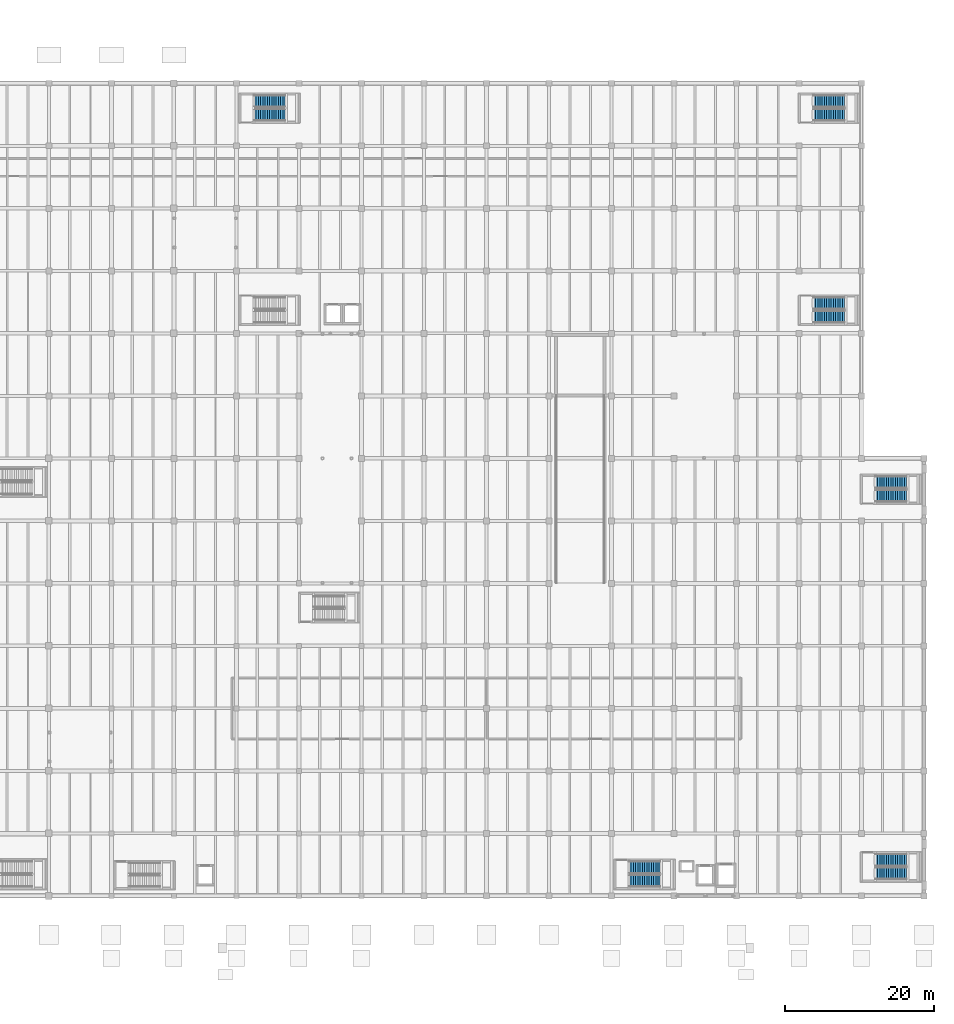
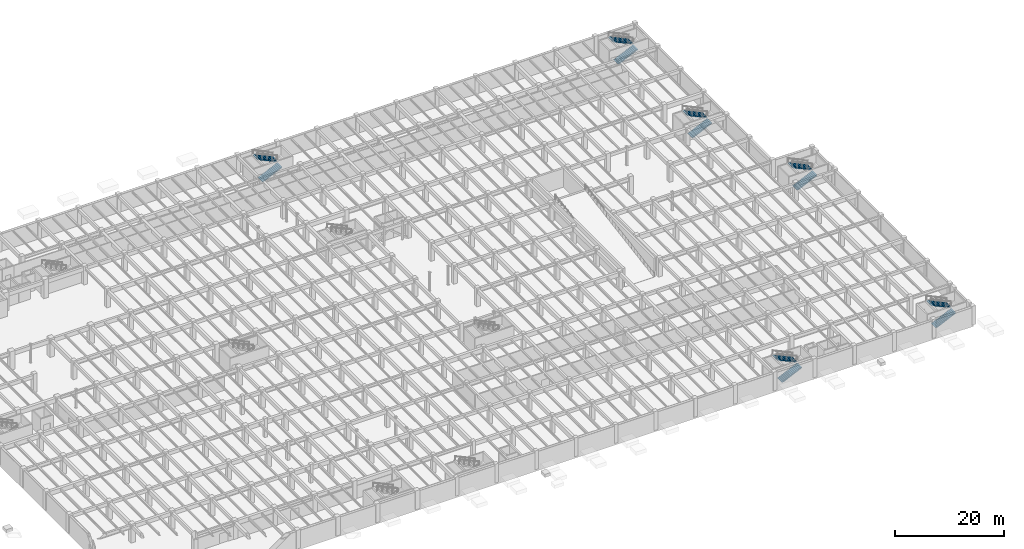
# One storey, part 50 of 63: 12 stair flights, 6 elements without a shape of their own.
"""IFC4 building model written with IfcOpenShell, lengths in metres."""

from ifc_helpers import new_model, si_unit, direction, frame, origin, place, context, subcontext, project, spatial, polyline, outline, extrude, material, type_object, element, aggregate, save


model = new_model("IFC4")

# Units and contexts
model_context = context("Model", 3, precision=1e-05, world=origin(), true_north=direction((0.0, 1.0)))
body_context = subcontext(model_context, "Body", "Model", "MODEL_VIEW")
ifc_project = project(units=[si_unit("LENGTHUNIT", "METRE"), si_unit("AREAUNIT", "SQUARE_METRE"), si_unit("VOLUMEUNIT", "CUBIC_METRE"), si_unit("PLANEANGLEUNIT", "RADIAN"), si_unit("MASSUNIT", "GRAM", prefix="KILO")], contexts=[model_context])

# Site, building, storey
site_placement = place(None, origin())
site = spatial("IfcSite", under=ifc_project, at=site_placement, CompositionType="ELEMENT")
building_placement = place(site_placement, origin())
building = spatial("IfcBuilding", under=site, at=building_placement, Name="Cumbredor Promenade Congress Hotel", CompositionType="ELEMENT")
storey_placement = place(building_placement, frame((0.0, 0.0, -4.199951171875)))
storey = spatial("IfcBuildingStorey", under=building, at=storey_placement, Name="B01", CompositionType="ELEMENT", Elevation=-4.199951171875)

# Stair, stair flights
ifc_material = material(Name="Concrete C40/50", Category="concrete")
stair_type = type_object("IfcStairType", Name="Protected Dog-Leg Exit Stair ST-T3 1650mm", PredefinedType="HALF_TURN_STAIR", material=ifc_material)
stair_1_placement = place(storey_placement, origin())
stair_1 = element("IfcStair", 1, at=stair_1_placement, inside=storey, type_object=stair_type, Name="B01 Protected Exit Stair ST-08", PredefinedType="HALF_TURN_STAIR")
stair_flight_type = type_object("IfcStairFlightType", Name="Concrete Stair Flight SFL-T3 1650mm", PredefinedType="STRAIGHT", material=ifc_material)
stair_flight_1_placement = place(storey_placement, frame((145.14990234375, 10.425048828125, 0.0), z_axis=(0.0, 0.0, 1.0), x_axis=(1.0, 0.0, 0.0)))
stair_flight_1 = element("IfcStairFlight", 2, at=stair_flight_1_placement, type_object=stair_flight_type, Name="ST-08 flight 1", NumberOfRisers=15, NumberOfTreads=14, PredefinedType="STRAIGHT", RiserHeight=0.14, TreadLength=0.3, context=body_context, shape_type="SweptSolid", body=[
    extrude(outline(polyline([(0.0, 0.0), (0.0, 0.139892578125), (0.300048828125, 0.139892578125), (0.300048828125, 0.280029296875), (0.60009765625, 0.280029296875), (0.60009765625, 0.419921875), (0.89990234375, 0.419921875), (0.89990234375, 0.56005859375), (1.199951171875, 0.56005859375), (1.199951171875, 0.699951171875), (1.5, 0.699951171875), (1.5, 0.840087890625), (1.800048828125, 0.840087890625), (1.800048828125, 0.97998046875), (2.10009765625, 0.97998046875), (2.10009765625, 1.1201171875), (2.39990234375, 1.1201171875), (2.39990234375, 1.260009765625), (2.699951171875, 1.260009765625), (2.699951171875, 1.39990234375), (3.0, 1.39990234375), (3.0, 1.5400390625), (3.300048828125, 1.5400390625), (3.300048828125, 1.679931640625), (3.60009765625, 1.679931640625), (3.60009765625, 1.820068359375), (3.89990234375, 1.820068359375), (3.89990234375, 1.9599609375), (4.199951171875, 1.9599609375), (4.199951171875, 2.10009765625), (4.199951171875, 1.761474609375), (0.425537109375, 0.0), (0.0, 0.0)])), frame((0.0, 0.824951171875, 0.0), z_axis=(0.0, -1.0, 0.0), x_axis=(1.0, 0.0, 0.0)), (0.0, 0.0, 1.0), 1.64990234375),
])
stair_flight_2_placement = place(storey_placement, frame((149.35009765625, 12.22509765625, 2.099853515625), z_axis=(0.0, 0.0, 1.0), x_axis=(-1.0, 0.0, 0.0)))
stair_flight_2 = element("IfcStairFlight", 3, at=stair_flight_2_placement, type_object=stair_flight_type, Name="ST-08 flight 2", NumberOfRisers=15, NumberOfTreads=14, PredefinedType="STRAIGHT", RiserHeight=0.14, TreadLength=0.3, context=body_context, shape_type="SweptSolid", body=[
    extrude(outline(polyline([(0.0, 0.0), (0.0, 0.139892578125), (0.300048828125, 0.139892578125), (0.300048828125, 0.280029296875), (0.60009765625, 0.280029296875), (0.60009765625, 0.419921875), (0.89990234375, 0.419921875), (0.89990234375, 0.56005859375), (1.199951171875, 0.56005859375), (1.199951171875, 0.699951171875), (1.5, 0.699951171875), (1.5, 0.840087890625), (1.800048828125, 0.840087890625), (1.800048828125, 0.97998046875), (2.10009765625, 0.97998046875), (2.10009765625, 1.1201171875), (2.39990234375, 1.1201171875), (2.39990234375, 1.260009765625), (2.699951171875, 1.260009765625), (2.699951171875, 1.39990234375), (3.0, 1.39990234375), (3.0, 1.5400390625), (3.300048828125, 1.5400390625), (3.300048828125, 1.679931640625), (3.60009765625, 1.679931640625), (3.60009765625, 1.820068359375), (3.89990234375, 1.820068359375), (3.89990234375, 1.9599609375), (4.199951171875, 1.9599609375), (4.199951171875, 2.10009765625), (4.199951171875, 1.761474609375), (0.425537109375, 0.0), (0.0, 0.0)])), frame((0.0, 0.824951171875, 0.0), z_axis=(0.0, -1.0, 0.0), x_axis=(1.0, 0.0, 0.0)), (0.0, 0.0, 1.0), 1.64990234375),
])
aggregate(stair_1, [stair_flight_1, stair_flight_2])

stair_2_placement = place(storey_placement, origin())
stair_2 = element("IfcStair", 4, at=stair_2_placement, inside=storey, type_object=stair_type, Name="B01 Protected Exit Stair ST-09", PredefinedType="HALF_TURN_STAIR")
stair_flight_3_placement = place(storey_placement, frame((178.25, 11.425048828125, 0.0), z_axis=(0.0, 0.0, 1.0), x_axis=(1.0, 0.0, 0.0)))
stair_flight_3 = element("IfcStairFlight", 5, at=stair_flight_3_placement, type_object=stair_flight_type, Name="ST-09 flight 1", NumberOfRisers=15, NumberOfTreads=14, PredefinedType="STRAIGHT", RiserHeight=0.14, TreadLength=0.3, context=body_context, shape_type="SweptSolid", body=[
    extrude(outline(polyline([(0.0, 0.0), (0.0, 0.139892578125), (0.300048828125, 0.139892578125), (0.300048828125, 0.280029296875), (0.60009765625, 0.280029296875), (0.60009765625, 0.419921875), (0.89990234375, 0.419921875), (0.89990234375, 0.56005859375), (1.199951171875, 0.56005859375), (1.199951171875, 0.699951171875), (1.5, 0.699951171875), (1.5, 0.840087890625), (1.800048828125, 0.840087890625), (1.800048828125, 0.97998046875), (2.10009765625, 0.97998046875), (2.10009765625, 1.1201171875), (2.39990234375, 1.1201171875), (2.39990234375, 1.260009765625), (2.699951171875, 1.260009765625), (2.699951171875, 1.39990234375), (3.0, 1.39990234375), (3.0, 1.5400390625), (3.300048828125, 1.5400390625), (3.300048828125, 1.679931640625), (3.60009765625, 1.679931640625), (3.60009765625, 1.820068359375), (3.89990234375, 1.820068359375), (3.89990234375, 1.9599609375), (4.199951171875, 1.9599609375), (4.199951171875, 2.10009765625), (4.199951171875, 1.761474609375), (0.425537109375, 0.0), (0.0, 0.0)])), frame((0.0, 0.824951171875, 0.0), z_axis=(0.0, -1.0, 0.0), x_axis=(1.0, 0.0, 0.0)), (0.0, 0.0, 1.0), 1.64990234375),
])
stair_flight_4_placement = place(storey_placement, frame((182.449951171875, 13.22509765625, 2.099853515625), z_axis=(0.0, 0.0, 1.0), x_axis=(-1.0, 0.0, 0.0)))
stair_flight_4 = element("IfcStairFlight", 6, at=stair_flight_4_placement, type_object=stair_flight_type, Name="ST-09 flight 2", NumberOfRisers=15, NumberOfTreads=14, PredefinedType="STRAIGHT", RiserHeight=0.14, TreadLength=0.3, context=body_context, shape_type="SweptSolid", body=[
    extrude(outline(polyline([(0.0, 0.0), (0.0, 0.139892578125), (0.300048828125, 0.139892578125), (0.300048828125, 0.280029296875), (0.60009765625, 0.280029296875), (0.60009765625, 0.419921875), (0.89990234375, 0.419921875), (0.89990234375, 0.56005859375), (1.199951171875, 0.56005859375), (1.199951171875, 0.699951171875), (1.5, 0.699951171875), (1.5, 0.840087890625), (1.800048828125, 0.840087890625), (1.800048828125, 0.97998046875), (2.10009765625, 0.97998046875), (2.10009765625, 1.1201171875), (2.39990234375, 1.1201171875), (2.39990234375, 1.260009765625), (2.699951171875, 1.260009765625), (2.699951171875, 1.39990234375), (3.0, 1.39990234375), (3.0, 1.5400390625), (3.300048828125, 1.5400390625), (3.300048828125, 1.679931640625), (3.60009765625, 1.679931640625), (3.60009765625, 1.820068359375), (3.89990234375, 1.820068359375), (3.89990234375, 1.9599609375), (4.199951171875, 1.9599609375), (4.199951171875, 2.10009765625), (4.199951171875, 1.761474609375), (0.425537109375, 0.0), (0.0, 0.0)])), frame((0.0, 0.824951171875, 0.0), z_axis=(0.0, -1.0, 0.0), x_axis=(1.0, 0.0, 0.0)), (0.0, 0.0, 1.0), 1.64990234375),
])
aggregate(stair_2, [stair_flight_3, stair_flight_4])

stair_3_placement = place(storey_placement, origin())
stair_3 = element("IfcStair", 7, at=stair_3_placement, inside=storey, type_object=stair_type, Name="B01 Protected Exit Stair ST-10", PredefinedType="HALF_TURN_STAIR")
stair_flight_5_placement = place(storey_placement, frame((178.25, 62.175048828125, 0.0), z_axis=(0.0, 0.0, 1.0), x_axis=(1.0, 0.0, 0.0)))
stair_flight_5 = element("IfcStairFlight", 8, at=stair_flight_5_placement, type_object=stair_flight_type, Name="ST-10 flight 1", NumberOfRisers=15, NumberOfTreads=14, PredefinedType="STRAIGHT", RiserHeight=0.14, TreadLength=0.3, context=body_context, shape_type="SweptSolid", body=[
    extrude(outline(polyline([(0.0, 0.0), (0.0, 0.139892578125), (0.300048828125, 0.139892578125), (0.300048828125, 0.280029296875), (0.60009765625, 0.280029296875), (0.60009765625, 0.419921875), (0.89990234375, 0.419921875), (0.89990234375, 0.56005859375), (1.199951171875, 0.56005859375), (1.199951171875, 0.699951171875), (1.5, 0.699951171875), (1.5, 0.840087890625), (1.800048828125, 0.840087890625), (1.800048828125, 0.97998046875), (2.10009765625, 0.97998046875), (2.10009765625, 1.1201171875), (2.39990234375, 1.1201171875), (2.39990234375, 1.260009765625), (2.699951171875, 1.260009765625), (2.699951171875, 1.39990234375), (3.0, 1.39990234375), (3.0, 1.5400390625), (3.300048828125, 1.5400390625), (3.300048828125, 1.679931640625), (3.60009765625, 1.679931640625), (3.60009765625, 1.820068359375), (3.89990234375, 1.820068359375), (3.89990234375, 1.9599609375), (4.199951171875, 1.9599609375), (4.199951171875, 2.10009765625), (4.199951171875, 1.761474609375), (0.425537109375, 0.0), (0.0, 0.0)])), frame((0.0, 0.824951171875, 0.0), z_axis=(0.0, -1.0, 0.0), x_axis=(1.0, 0.0, 0.0)), (0.0, 0.0, 1.0), 1.64990234375),
])
stair_flight_6_placement = place(storey_placement, frame((182.449951171875, 63.97509765625, 2.099853515625), z_axis=(0.0, 0.0, 1.0), x_axis=(-1.0, 0.0, 0.0)))
stair_flight_6 = element("IfcStairFlight", 9, at=stair_flight_6_placement, type_object=stair_flight_type, Name="ST-10 flight 2", NumberOfRisers=15, NumberOfTreads=14, PredefinedType="STRAIGHT", RiserHeight=0.14, TreadLength=0.3, context=body_context, shape_type="SweptSolid", body=[
    extrude(outline(polyline([(0.0, 0.0), (0.0, 0.139892578125), (0.300048828125, 0.139892578125), (0.300048828125, 0.280029296875), (0.60009765625, 0.280029296875), (0.60009765625, 0.419921875), (0.89990234375, 0.419921875), (0.89990234375, 0.56005859375), (1.199951171875, 0.56005859375), (1.199951171875, 0.699951171875), (1.5, 0.699951171875), (1.5, 0.840087890625), (1.800048828125, 0.840087890625), (1.800048828125, 0.97998046875), (2.10009765625, 0.97998046875), (2.10009765625, 1.1201171875), (2.39990234375, 1.1201171875), (2.39990234375, 1.260009765625), (2.699951171875, 1.260009765625), (2.699951171875, 1.39990234375), (3.0, 1.39990234375), (3.0, 1.5400390625), (3.300048828125, 1.5400390625), (3.300048828125, 1.679931640625), (3.60009765625, 1.679931640625), (3.60009765625, 1.820068359375), (3.89990234375, 1.820068359375), (3.89990234375, 1.9599609375), (4.199951171875, 1.9599609375), (4.199951171875, 2.10009765625), (4.199951171875, 1.761474609375), (0.425537109375, 0.0), (0.0, 0.0)])), frame((0.0, 0.824951171875, 0.0), z_axis=(0.0, -1.0, 0.0), x_axis=(1.0, 0.0, 0.0)), (0.0, 0.0, 1.0), 1.64990234375),
])
aggregate(stair_3, [stair_flight_5, stair_flight_6])

stair_4_placement = place(storey_placement, origin())
stair_4 = element("IfcStair", 10, at=stair_4_placement, inside=storey, type_object=stair_type, Name="B01 Protected Exit Stair ST-14", PredefinedType="HALF_TURN_STAIR")
stair_flight_7_placement = place(storey_placement, frame((169.919921875, 86.22509765625, 0.0), z_axis=(0.0, 0.0, 1.0), x_axis=(1.0, 0.0, 0.0)))
stair_flight_7 = element("IfcStairFlight", 11, at=stair_flight_7_placement, type_object=stair_flight_type, Name="ST-14 flight 1", NumberOfRisers=15, NumberOfTreads=14, PredefinedType="STRAIGHT", RiserHeight=0.14, TreadLength=0.3, context=body_context, shape_type="SweptSolid", body=[
    extrude(outline(polyline([(0.0, 0.0), (0.0, 0.139892578125), (0.300048828125, 0.139892578125), (0.300048828125, 0.280029296875), (0.60009765625, 0.280029296875), (0.60009765625, 0.419921875), (0.89990234375, 0.419921875), (0.89990234375, 0.56005859375), (1.199951171875, 0.56005859375), (1.199951171875, 0.699951171875), (1.5, 0.699951171875), (1.5, 0.840087890625), (1.800048828125, 0.840087890625), (1.800048828125, 0.97998046875), (2.10009765625, 0.97998046875), (2.10009765625, 1.1201171875), (2.39990234375, 1.1201171875), (2.39990234375, 1.260009765625), (2.699951171875, 1.260009765625), (2.699951171875, 1.39990234375), (3.0, 1.39990234375), (3.0, 1.5400390625), (3.300048828125, 1.5400390625), (3.300048828125, 1.679931640625), (3.60009765625, 1.679931640625), (3.60009765625, 1.820068359375), (3.89990234375, 1.820068359375), (3.89990234375, 1.9599609375), (4.199951171875, 1.9599609375), (4.199951171875, 2.10009765625), (4.199951171875, 1.761474609375), (0.425537109375, 0.0), (0.0, 0.0)])), frame((0.0, 0.824951171875, 0.0), z_axis=(0.0, -1.0, 0.0), x_axis=(1.0, 0.0, 0.0)), (0.0, 0.0, 1.0), 1.64990234375),
])
stair_flight_8_placement = place(storey_placement, frame((174.1201171875, 88.02490234375, 2.099853515625), z_axis=(0.0, 0.0, 1.0), x_axis=(-1.0, 0.0, 0.0)))
stair_flight_8 = element("IfcStairFlight", 12, at=stair_flight_8_placement, type_object=stair_flight_type, Name="ST-14 flight 2", NumberOfRisers=15, NumberOfTreads=14, PredefinedType="STRAIGHT", RiserHeight=0.14, TreadLength=0.3, context=body_context, shape_type="SweptSolid", body=[
    extrude(outline(polyline([(0.0, 0.0), (0.0, 0.139892578125), (0.300048828125, 0.139892578125), (0.300048828125, 0.280029296875), (0.60009765625, 0.280029296875), (0.60009765625, 0.419921875), (0.89990234375, 0.419921875), (0.89990234375, 0.56005859375), (1.199951171875, 0.56005859375), (1.199951171875, 0.699951171875), (1.5, 0.699951171875), (1.5, 0.840087890625), (1.800048828125, 0.840087890625), (1.800048828125, 0.97998046875), (2.10009765625, 0.97998046875), (2.10009765625, 1.1201171875), (2.39990234375, 1.1201171875), (2.39990234375, 1.260009765625), (2.699951171875, 1.260009765625), (2.699951171875, 1.39990234375), (3.0, 1.39990234375), (3.0, 1.5400390625), (3.300048828125, 1.5400390625), (3.300048828125, 1.679931640625), (3.60009765625, 1.679931640625), (3.60009765625, 1.820068359375), (3.89990234375, 1.820068359375), (3.89990234375, 1.9599609375), (4.199951171875, 1.9599609375), (4.199951171875, 2.10009765625), (4.199951171875, 1.761474609375), (0.425537109375, 0.0), (0.0, 0.0)])), frame((0.0, 0.824951171875, 0.0), z_axis=(0.0, -1.0, 0.0), x_axis=(1.0, 0.0, 0.0)), (0.0, 0.0, 1.0), 1.64990234375),
])
aggregate(stair_4, [stair_flight_7, stair_flight_8])

stair_5_placement = place(storey_placement, origin())
stair_5 = element("IfcStair", 13, at=stair_5_placement, inside=storey, type_object=stair_type, Name="B01 Protected Exit Stair ST-15", PredefinedType="HALF_TURN_STAIR")
stair_flight_9_placement = place(storey_placement, frame((94.75, 113.375, 0.0), z_axis=(0.0, 0.0, 1.0), x_axis=(1.0, 0.0, 0.0)))
stair_flight_9 = element("IfcStairFlight", 14, at=stair_flight_9_placement, type_object=stair_flight_type, Name="ST-15 flight 1", NumberOfRisers=15, NumberOfTreads=14, PredefinedType="STRAIGHT", RiserHeight=0.14, TreadLength=0.3, context=body_context, shape_type="SweptSolid", body=[
    extrude(outline(polyline([(0.0, 0.0), (0.0, 0.139892578125), (0.300048828125, 0.139892578125), (0.300048828125, 0.280029296875), (0.60009765625, 0.280029296875), (0.60009765625, 0.419921875), (0.89990234375, 0.419921875), (0.89990234375, 0.56005859375), (1.199951171875, 0.56005859375), (1.199951171875, 0.699951171875), (1.5, 0.699951171875), (1.5, 0.840087890625), (1.800048828125, 0.840087890625), (1.800048828125, 0.97998046875), (2.10009765625, 0.97998046875), (2.10009765625, 1.1201171875), (2.39990234375, 1.1201171875), (2.39990234375, 1.260009765625), (2.699951171875, 1.260009765625), (2.699951171875, 1.39990234375), (3.0, 1.39990234375), (3.0, 1.5400390625), (3.300048828125, 1.5400390625), (3.300048828125, 1.679931640625), (3.60009765625, 1.679931640625), (3.60009765625, 1.820068359375), (3.89990234375, 1.820068359375), (3.89990234375, 1.9599609375), (4.199951171875, 1.9599609375), (4.199951171875, 2.10009765625), (4.199951171875, 1.761474609375), (0.425537109375, 0.0), (0.0, 0.0)])), frame((0.0, 0.824951171875, 0.0), z_axis=(0.0, -1.0, 0.0), x_axis=(1.0, 0.0, 0.0)), (0.0, 0.0, 1.0), 1.64990234375),
])
stair_flight_10_placement = place(storey_placement, frame((98.949951171875, 115.175048828125, 2.099853515625), z_axis=(0.0, 0.0, 1.0), x_axis=(-1.0, 0.0, 0.0)))
stair_flight_10 = element("IfcStairFlight", 15, at=stair_flight_10_placement, type_object=stair_flight_type, Name="ST-15 flight 2", NumberOfRisers=15, NumberOfTreads=14, PredefinedType="STRAIGHT", RiserHeight=0.14, TreadLength=0.3, context=body_context, shape_type="SweptSolid", body=[
    extrude(outline(polyline([(0.0, 0.0), (0.0, 0.139892578125), (0.300048828125, 0.139892578125), (0.300048828125, 0.280029296875), (0.60009765625, 0.280029296875), (0.60009765625, 0.419921875), (0.89990234375, 0.419921875), (0.89990234375, 0.56005859375), (1.199951171875, 0.56005859375), (1.199951171875, 0.699951171875), (1.5, 0.699951171875), (1.5, 0.840087890625), (1.800048828125, 0.840087890625), (1.800048828125, 0.97998046875), (2.10009765625, 0.97998046875), (2.10009765625, 1.1201171875), (2.39990234375, 1.1201171875), (2.39990234375, 1.260009765625), (2.699951171875, 1.260009765625), (2.699951171875, 1.39990234375), (3.0, 1.39990234375), (3.0, 1.5400390625), (3.300048828125, 1.5400390625), (3.300048828125, 1.679931640625), (3.60009765625, 1.679931640625), (3.60009765625, 1.820068359375), (3.89990234375, 1.820068359375), (3.89990234375, 1.9599609375), (4.199951171875, 1.9599609375), (4.199951171875, 2.10009765625), (4.199951171875, 1.761474609375), (0.425537109375, 0.0), (0.0, 0.0)])), frame((0.0, 0.824951171875, 0.0), z_axis=(0.0, -1.0, 0.0), x_axis=(1.0, 0.0, 0.0)), (0.0, 0.0, 1.0), 1.64990234375),
])
aggregate(stair_5, [stair_flight_9, stair_flight_10])

stair_6_placement = place(storey_placement, origin())
stair_6 = element("IfcStair", 16, at=stair_6_placement, inside=storey, type_object=stair_type, Name="B01 Protected Exit Stair ST-16", PredefinedType="HALF_TURN_STAIR")
stair_flight_11_placement = place(storey_placement, frame((169.919921875, 113.375, 0.0), z_axis=(0.0, 0.0, 1.0), x_axis=(1.0, 0.0, 0.0)))
stair_flight_11 = element("IfcStairFlight", 17, at=stair_flight_11_placement, type_object=stair_flight_type, Name="ST-16 flight 1", NumberOfRisers=15, NumberOfTreads=14, PredefinedType="STRAIGHT", RiserHeight=0.14, TreadLength=0.3, context=body_context, shape_type="SweptSolid", body=[
    extrude(outline(polyline([(0.0, 0.0), (0.0, 0.139892578125), (0.300048828125, 0.139892578125), (0.300048828125, 0.280029296875), (0.60009765625, 0.280029296875), (0.60009765625, 0.419921875), (0.89990234375, 0.419921875), (0.89990234375, 0.56005859375), (1.199951171875, 0.56005859375), (1.199951171875, 0.699951171875), (1.5, 0.699951171875), (1.5, 0.840087890625), (1.800048828125, 0.840087890625), (1.800048828125, 0.97998046875), (2.10009765625, 0.97998046875), (2.10009765625, 1.1201171875), (2.39990234375, 1.1201171875), (2.39990234375, 1.260009765625), (2.699951171875, 1.260009765625), (2.699951171875, 1.39990234375), (3.0, 1.39990234375), (3.0, 1.5400390625), (3.300048828125, 1.5400390625), (3.300048828125, 1.679931640625), (3.60009765625, 1.679931640625), (3.60009765625, 1.820068359375), (3.89990234375, 1.820068359375), (3.89990234375, 1.9599609375), (4.199951171875, 1.9599609375), (4.199951171875, 2.10009765625), (4.199951171875, 1.761474609375), (0.425537109375, 0.0), (0.0, 0.0)])), frame((0.0, 0.824951171875, 0.0), z_axis=(0.0, -1.0, 0.0), x_axis=(1.0, 0.0, 0.0)), (0.0, 0.0, 1.0), 1.64990234375),
])
stair_flight_12_placement = place(storey_placement, frame((174.1201171875, 115.175048828125, 2.099853515625), z_axis=(0.0, 0.0, 1.0), x_axis=(-1.0, 0.0, 0.0)))
stair_flight_12 = element("IfcStairFlight", 18, at=stair_flight_12_placement, type_object=stair_flight_type, Name="ST-16 flight 2", NumberOfRisers=15, NumberOfTreads=14, PredefinedType="STRAIGHT", RiserHeight=0.14, TreadLength=0.3, context=body_context, shape_type="SweptSolid", body=[
    extrude(outline(polyline([(0.0, 0.0), (0.0, 0.139892578125), (0.300048828125, 0.139892578125), (0.300048828125, 0.280029296875), (0.60009765625, 0.280029296875), (0.60009765625, 0.419921875), (0.89990234375, 0.419921875), (0.89990234375, 0.56005859375), (1.199951171875, 0.56005859375), (1.199951171875, 0.699951171875), (1.5, 0.699951171875), (1.5, 0.840087890625), (1.800048828125, 0.840087890625), (1.800048828125, 0.97998046875), (2.10009765625, 0.97998046875), (2.10009765625, 1.1201171875), (2.39990234375, 1.1201171875), (2.39990234375, 1.260009765625), (2.699951171875, 1.260009765625), (2.699951171875, 1.39990234375), (3.0, 1.39990234375), (3.0, 1.5400390625), (3.300048828125, 1.5400390625), (3.300048828125, 1.679931640625), (3.60009765625, 1.679931640625), (3.60009765625, 1.820068359375), (3.89990234375, 1.820068359375), (3.89990234375, 1.9599609375), (4.199951171875, 1.9599609375), (4.199951171875, 2.10009765625), (4.199951171875, 1.761474609375), (0.425537109375, 0.0), (0.0, 0.0)])), frame((0.0, 0.824951171875, 0.0), z_axis=(0.0, -1.0, 0.0), x_axis=(1.0, 0.0, 0.0)), (0.0, 0.0, 1.0), 1.64990234375),
])
aggregate(stair_6, [stair_flight_11, stair_flight_12])

save(model, "model.ifc")
